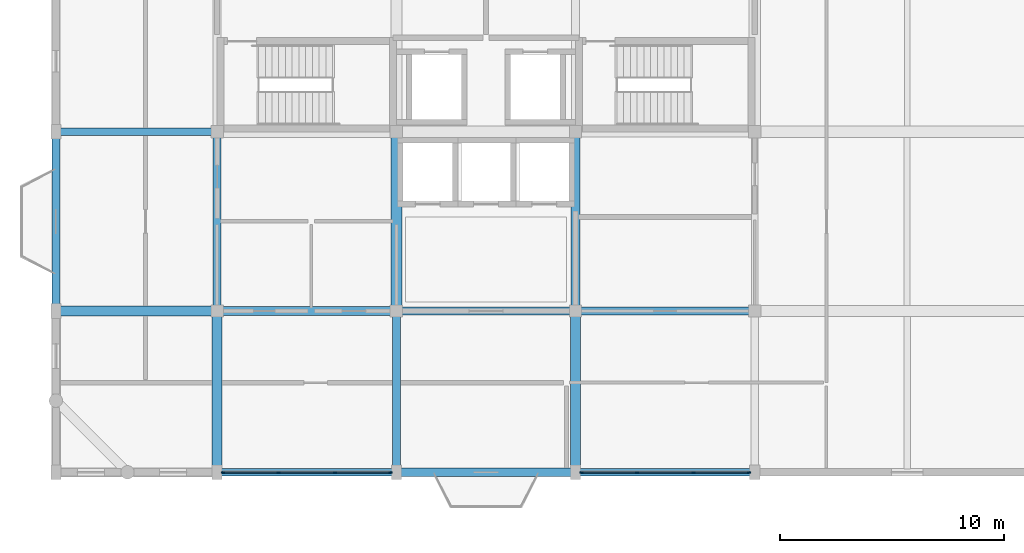
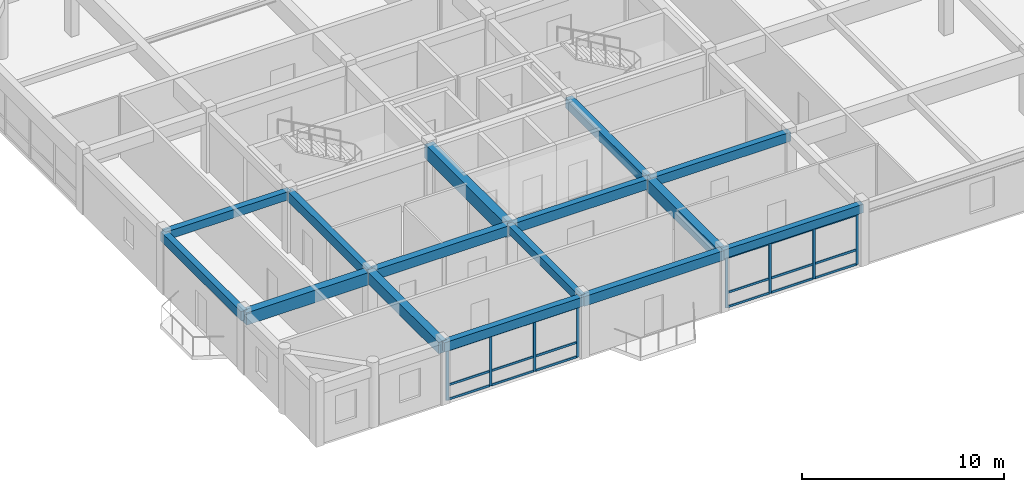
# One storey, part 2 of 13: 26 members, 15 beams, 2 elements without a shape of their own.
"""IFC4 building model written with IfcOpenShell, lengths in metres."""

from ifc_helpers import new_model, si_unit, direction, frame, origin, origin_2d, place, context, subcontext, project, spatial, rectangle, extrude, material, material_profile, profile_set, type_object, element, aggregate, save


model = new_model("IFC4")

# Units and contexts
model_context = context("Model", 3, precision=1e-05, world=origin(), true_north=direction((0.0, 1.0)))
body_context = subcontext(model_context, "Body", "Model", "MODEL_VIEW")
ifc_project = project(units=[si_unit("LENGTHUNIT", "METRE"), si_unit("AREAUNIT", "SQUARE_METRE"), si_unit("VOLUMEUNIT", "CUBIC_METRE"), si_unit("PLANEANGLEUNIT", "RADIAN"), si_unit("MASSUNIT", "GRAM", prefix="KILO")], contexts=[model_context])

# Site, building, storey
site_placement = place(None, origin())
site = spatial("IfcSite", under=ifc_project, at=site_placement, CompositionType="ELEMENT")
building_placement = place(site_placement, origin())
building = spatial("IfcBuilding", under=site, at=building_placement, Name="Vellmiral Cinema and Media Centre", CompositionType="ELEMENT")
storey_placement = place(building_placement, frame((0.0, 0.0, 58.699951171875)))
storey = spatial("IfcBuildingStorey", under=building, at=storey_placement, Name="L14", CompositionType="ELEMENT", Elevation=58.699951171875)

# Beams
ifc_material_1 = material(Name="Concrete C40/50", Category="concrete")
ifc_material_profile_1 = material_profile(ifc_material_1, rectangle(XDim=0.35009765625, YDim=0.5, at=origin_2d()), Name="RC 350x500")
ifc_profile_set_1 = profile_set([ifc_material_profile_1], Name="Concrete C40/50")
beam_type_1 = type_object("IfcBeamType", Name="BM-RC-350x500", PredefinedType="BEAM", material=ifc_profile_set_1)
for number, where, z_axis, x_axis, name in (
    (1, (116.800048828125, 87.199951171875, 3.39501953125), (1.0, 0.0, 0.0), (0.0, 1.0, 0.0), "Grid Beam L14-X013"),
    (2, (132.0, 72.0, 3.39501953125), (0.0, 1.0, 0.0), (-1.0, 0.0, 0.0), "Grid Beam L14-Y046"),
):
    element("IfcBeam", number, at=place(storey_placement, frame(where, z_axis=z_axis, x_axis=x_axis)), inside=storey, type_object=beam_type_1, Name=name, PredefinedType="BEAM", context=body_context, shape_type="SweptSolid", body=[
        extrude(rectangle(XDim=0.35009765625, YDim=0.5, at=origin_2d()), origin(), (0.0, 0.0, 1.0), 7.199951171875),
    ])
ifc_material_2 = material(Name="Concrete C40/50", Category="concrete")
ifc_material_profile_2 = material_profile(ifc_material_2, rectangle(XDim=0.35009765625, YDim=0.550048828125, at=origin_2d()), Name="RC 350x550")
ifc_profile_set_2 = profile_set([ifc_material_profile_2], Name="Concrete C40/50")
beam_type_2 = type_object("IfcBeamType", Name="BM-RC-350x550", PredefinedType="BEAM", material=ifc_profile_set_2)
beam_1_placement = place(storey_placement, frame((140.0, 79.199951171875, 3.3701171875), z_axis=(1.0, 0.0, 0.0), x_axis=(0.0, 1.0, 0.0)))
element("IfcBeam", 3, at=beam_1_placement, inside=storey, type_object=beam_type_2, Name="Grid Beam L14-X010", PredefinedType="BEAM", context=body_context, shape_type="SweptSolid", body=[
    extrude(rectangle(XDim=0.35009765625, YDim=0.550048828125, at=origin_2d()), origin(), (0.0, 0.0, 1.0), 8.0),
])
ifc_material_3 = material(Name="Concrete C40/50", Category="concrete")
ifc_material_profile_3 = material_profile(ifc_material_3, rectangle(XDim=0.35009765625, YDim=0.60009765625, at=origin_2d()), Name="RC 350x600")
ifc_profile_set_3 = profile_set([ifc_material_profile_3], Name="Concrete C40/50")
beam_type_3 = type_object("IfcBeamType", Name="BM-RC-350x600", PredefinedType="BEAM", material=ifc_profile_set_3)
for number, where, z_axis, x_axis, name in (
    (4, (132.0, 79.199951171875, 3.344970703125), (1.0, 0.0, 0.0), (0.0, 1.0, 0.0), "Grid Beam L14-X009"),
    (5, (124.0, 79.199951171875, 3.344970703125), (0.0, 1.0, 0.0), (-1.0, 0.0, 0.0), "Grid Beam L14-Y042"),
):
    element("IfcBeam", number, at=place(storey_placement, frame(where, z_axis=z_axis, x_axis=x_axis)), inside=storey, type_object=beam_type_3, Name=name, PredefinedType="BEAM", context=body_context, shape_type="SweptSolid", body=[
        extrude(rectangle(XDim=0.35009765625, YDim=0.60009765625, at=origin_2d()), origin(), (0.0, 0.0, 1.0), 8.0),
    ])
ifc_material_4 = material(Name="Concrete C40/50", Category="concrete")
ifc_material_profile_4 = material_profile(ifc_material_4, rectangle(XDim=0.39990234375, YDim=0.60009765625, at=origin_2d()), Name="RC 400x600")
ifc_profile_set_4 = profile_set([ifc_material_profile_4], Name="Concrete C40/50")
beam_type_4 = type_object("IfcBeamType", Name="BM-RC-400x600", PredefinedType="BEAM", material=ifc_profile_set_4)
for number, where, z_axis, x_axis, name in (
    (6, (124.0, 79.199951171875, 3.344970703125), (1.0, 0.0, 0.0), (0.0, 1.0, 0.0), "Grid Beam L14-X008"),
    (7, (140.0, 79.199951171875, 3.344970703125), (0.0, 1.0, 0.0), (-1.0, 0.0, 0.0), "Grid Beam L14-Y052"),
):
    element("IfcBeam", number, at=place(storey_placement, frame(where, z_axis=z_axis, x_axis=x_axis)), inside=storey, type_object=beam_type_4, Name=name, PredefinedType="BEAM", context=body_context, shape_type="SweptSolid", body=[
        extrude(rectangle(XDim=0.39990234375, YDim=0.60009765625, at=origin_2d()), origin(), (0.0, 0.0, 1.0), 8.0),
    ])
ifc_material_5 = material(Name="Concrete C40/50", Category="concrete")
ifc_material_profile_5 = material_profile(ifc_material_5, rectangle(XDim=0.449951171875, YDim=0.699951171875, at=origin_2d()), Name="RC 450x700")
ifc_profile_set_5 = profile_set([ifc_material_profile_5], Name="Concrete C40/50")
beam_type_5 = type_object("IfcBeamType", Name="BM-RC-450x700", PredefinedType="BEAM", material=ifc_profile_set_5)
beam_2_placement = place(storey_placement, frame((124.0, 72.0, 3.295166015625), z_axis=(0.0, 1.0, 0.0), x_axis=(-1.0, 0.0, 0.0)))
element("IfcBeam", 8, at=beam_2_placement, inside=storey, type_object=beam_type_5, Name="Grid Beam L14-Y041", PredefinedType="BEAM", context=body_context, shape_type="SweptSolid", body=[
    extrude(rectangle(XDim=0.449951171875, YDim=0.699951171875, at=origin_2d()), origin(), (0.0, 0.0, 1.0), 7.199951171875),
])
ifc_material_6 = material(Name="Concrete C40/50", Category="concrete")
ifc_material_profile_6 = material_profile(ifc_material_6, rectangle(XDim=0.449951171875, YDim=0.75, at=origin_2d()), Name="RC 450x750")
ifc_profile_set_6 = profile_set([ifc_material_profile_6], Name="Concrete C40/50")
beam_type_6 = type_object("IfcBeamType", Name="BM-RC-450x750", PredefinedType="BEAM", material=ifc_profile_set_6)
for number, where, z_axis, x_axis, name in (
    (9, (116.800048828125, 79.199951171875, 3.27001953125), (1.0, 0.0, 0.0), (0.0, 1.0, 0.0), "Grid Beam L14-X007"),
    (10, (140.0, 72.0, 3.27001953125), (0.0, 1.0, 0.0), (-1.0, 0.0, 0.0), "Grid Beam L14-Y051"),
):
    element("IfcBeam", number, at=place(storey_placement, frame(where, z_axis=z_axis, x_axis=x_axis)), inside=storey, type_object=beam_type_6, Name=name, PredefinedType="BEAM", context=body_context, shape_type="SweptSolid", body=[
        extrude(rectangle(XDim=0.449951171875, YDim=0.75, at=origin_2d()), origin(), (0.0, 0.0, 1.0), 7.199951171875),
    ])
ifc_material_7 = material(Name="Concrete C40/50", Category="concrete")
ifc_material_profile_7 = material_profile(ifc_material_7, rectangle(XDim=0.5, YDim=0.85009765625, at=origin_2d()), Name="RC 500x850")
ifc_profile_set_7 = profile_set([ifc_material_profile_7], Name="Concrete C40/50")
beam_type_7 = type_object("IfcBeamType", Name="BM-RC-500x850", PredefinedType="BEAM", material=ifc_profile_set_7)
beam_3_placement = place(storey_placement, frame((132.0, 79.199951171875, 3.219970703125), z_axis=(0.0, 1.0, 0.0), x_axis=(-1.0, 0.0, 0.0)))
element("IfcBeam", 11, at=beam_3_placement, inside=storey, type_object=beam_type_7, Name="Grid Beam L14-Y047", PredefinedType="BEAM", context=body_context, shape_type="SweptSolid", body=[
    extrude(rectangle(XDim=0.5, YDim=0.85009765625, at=origin_2d()), origin(), (0.0, 0.0, 1.0), 8.0),
])

# Curtain wall, members
ifc_material_8 = material(Name="Thermally Broken Aluminium and Triple Glazing", Category="aluminium")
curtain_wall_type = type_object("IfcCurtainWallType", Name="CW-TOWER-MID-E", PredefinedType="USERDEFINED", material=ifc_material_8)
curtain_wall_1_placement = place(storey_placement, origin())
curtain_wall_1 = element("IfcCurtainWall", 12, at=curtain_wall_1_placement, inside=storey, type_object=curtain_wall_type, Name="Curtain Wall L14-B003", ObjectType="UNITISED CURTAIN WALL", PredefinedType="USERDEFINED")
ifc_material_9 = material(Name="Thermally Broken Anodised Aluminium", Category="aluminium")
ifc_material_profile_8 = material_profile(ifc_material_9, rectangle(XDim=0.06494140625, YDim=0.159912109375, at=origin_2d()), Name="MULL 65x160")
ifc_profile_set_8 = profile_set([ifc_material_profile_8], Name="Thermally Broken Anodised Aluminium")
member_type_1 = type_object("IfcMemberType", Name="CWM-65x160", PredefinedType="MULLION", material=ifc_profile_set_8)
member_1_placement = place(storey_placement, frame((124.257568359375, 72.0, 0.0), z_axis=(0.0, 0.0, 1.0), x_axis=(0.0, 1.0, 0.0)))
member_1 = element("IfcMember", 13, at=member_1_placement, type_object=member_type_1, Name="CW-07 mullion 1", PredefinedType="MULLION", context=body_context, shape_type="SweptSolid", body=[
    extrude(rectangle(XDim=0.06494140625, YDim=0.159912109375, at=origin_2d()), origin(), (0.0, 0.0, 1.0), 3.050048828125),
])
member_2_placement = place(storey_placement, frame((126.74169921875, 72.0, 0.0), z_axis=(0.0, 0.0, 1.0), x_axis=(0.0, 1.0, 0.0)))
member_2 = element("IfcMember", 14, at=member_2_placement, type_object=member_type_1, Name="CW-07 mullion 2", PredefinedType="MULLION", context=body_context, shape_type="SweptSolid", body=[
    extrude(rectangle(XDim=0.06494140625, YDim=0.159912109375, at=origin_2d()), origin(), (0.0, 0.0, 1.0), 3.050048828125),
])
member_3_placement = place(storey_placement, frame((129.25830078125, 72.0, 0.0), z_axis=(0.0, 0.0, 1.0), x_axis=(0.0, 1.0, 0.0)))
member_3 = element("IfcMember", 15, at=member_3_placement, type_object=member_type_1, Name="CW-07 mullion 3", PredefinedType="MULLION", context=body_context, shape_type="SweptSolid", body=[
    extrude(rectangle(XDim=0.06494140625, YDim=0.159912109375, at=origin_2d()), origin(), (0.0, 0.0, 1.0), 3.050048828125),
])
member_4_placement = place(storey_placement, frame((131.742431640625, 72.0, 0.0), z_axis=(0.0, 0.0, 1.0), x_axis=(0.0, 1.0, 0.0)))
member_4 = element("IfcMember", 16, at=member_4_placement, type_object=member_type_1, Name="CW-07 mullion 4", PredefinedType="MULLION", context=body_context, shape_type="SweptSolid", body=[
    extrude(rectangle(XDim=0.06494140625, YDim=0.159912109375, at=origin_2d()), origin(), (0.0, 0.0, 1.0), 3.050048828125),
])

curtain_wall_2_placement = place(storey_placement, origin())
curtain_wall_2 = element("IfcCurtainWall", 17, at=curtain_wall_2_placement, inside=storey, type_object=curtain_wall_type, Name="Curtain Wall L14-B005", ObjectType="UNITISED CURTAIN WALL", PredefinedType="USERDEFINED")
member_5_placement = place(storey_placement, frame((140.257568359375, 72.0, 0.0), z_axis=(0.0, 0.0, 1.0), x_axis=(0.0, 1.0, 0.0)))
member_5 = element("IfcMember", 18, at=member_5_placement, type_object=member_type_1, Name="CW-07 mullion 1", PredefinedType="MULLION", context=body_context, shape_type="SweptSolid", body=[
    extrude(rectangle(XDim=0.06494140625, YDim=0.159912109375, at=origin_2d()), origin(), (0.0, 0.0, 1.0), 3.050048828125),
])
member_6_placement = place(storey_placement, frame((142.74169921875, 72.0, 0.0), z_axis=(0.0, 0.0, 1.0), x_axis=(0.0, 1.0, 0.0)))
member_6 = element("IfcMember", 19, at=member_6_placement, type_object=member_type_1, Name="CW-07 mullion 2", PredefinedType="MULLION", context=body_context, shape_type="SweptSolid", body=[
    extrude(rectangle(XDim=0.06494140625, YDim=0.159912109375, at=origin_2d()), origin(), (0.0, 0.0, 1.0), 3.050048828125),
])
member_7_placement = place(storey_placement, frame((145.25830078125, 72.0, 0.0), z_axis=(0.0, 0.0, 1.0), x_axis=(0.0, 1.0, 0.0)))
member_7 = element("IfcMember", 20, at=member_7_placement, type_object=member_type_1, Name="CW-07 mullion 3", PredefinedType="MULLION", context=body_context, shape_type="SweptSolid", body=[
    extrude(rectangle(XDim=0.06494140625, YDim=0.159912109375, at=origin_2d()), origin(), (0.0, 0.0, 1.0), 3.050048828125),
])
member_8_placement = place(storey_placement, frame((147.742431640625, 72.0, 0.0), z_axis=(0.0, 0.0, 1.0), x_axis=(0.0, 1.0, 0.0)))
member_8 = element("IfcMember", 21, at=member_8_placement, type_object=member_type_1, Name="CW-07 mullion 4", PredefinedType="MULLION", context=body_context, shape_type="SweptSolid", body=[
    extrude(rectangle(XDim=0.06494140625, YDim=0.159912109375, at=origin_2d()), origin(), (0.0, 0.0, 1.0), 3.050048828125),
])

# Member
ifc_material_10 = material(Name="Thermally Broken Anodised Aluminium", Category="aluminium")
ifc_material_profile_9 = material_profile(ifc_material_10, rectangle(XDim=0.06494140625, YDim=0.135009765625, at=origin_2d()), Name="MULL 65x135")
ifc_profile_set_9 = profile_set([ifc_material_profile_9], Name="Thermally Broken Anodised Aluminium")
member_type_2 = type_object("IfcMemberType", Name="CWT-65x135", PredefinedType="USERDEFINED", material=ifc_profile_set_9)
member_9_placement = place(storey_placement, frame((124.2900390625, 72.0, 0.032470703125), z_axis=(1.0, 0.0, 0.0), x_axis=(0.0, 1.0, 0.0)))
member_9 = element("IfcMember", 22, at=member_9_placement, type_object=member_type_2, Name="CW-07 transom 1.1", ObjectType="TRANSOM", PredefinedType="USERDEFINED", context=body_context, shape_type="SweptSolid", body=[
    extrude(rectangle(XDim=0.06494140625, YDim=0.135009765625, at=origin_2d()), origin(), (0.0, 0.0, 1.0), 2.419189453125),
])

member_10_placement = place(storey_placement, frame((124.2900390625, 72.0, 0.900146484375), z_axis=(1.0, 0.0, 0.0), x_axis=(0.0, 1.0, 0.0)))
member_10 = element("IfcMember", 23, at=member_10_placement, type_object=member_type_2, Name="CW-07 transom 1.2", ObjectType="TRANSOM", PredefinedType="USERDEFINED", context=body_context, shape_type="SweptSolid", body=[
    extrude(rectangle(XDim=0.06494140625, YDim=0.135009765625, at=origin_2d()), origin(), (0.0, 0.0, 1.0), 2.419189453125),
])

member_11_placement = place(storey_placement, frame((124.2900390625, 72.0, 3.017578125), z_axis=(1.0, 0.0, 0.0), x_axis=(0.0, 1.0, 0.0)))
member_11 = element("IfcMember", 24, at=member_11_placement, type_object=member_type_2, Name="CW-07 transom 1.3", ObjectType="TRANSOM", PredefinedType="USERDEFINED", context=body_context, shape_type="SweptSolid", body=[
    extrude(rectangle(XDim=0.06494140625, YDim=0.135009765625, at=origin_2d()), origin(), (0.0, 0.0, 1.0), 2.419189453125),
])

member_12_placement = place(storey_placement, frame((126.774169921875, 72.0, 0.032470703125), z_axis=(1.0, 0.0, 0.0), x_axis=(0.0, 1.0, 0.0)))
member_12 = element("IfcMember", 25, at=member_12_placement, type_object=member_type_2, Name="CW-07 transom 2.1", ObjectType="TRANSOM", PredefinedType="USERDEFINED", context=body_context, shape_type="SweptSolid", body=[
    extrude(rectangle(XDim=0.06494140625, YDim=0.135009765625, at=origin_2d()), origin(), (0.0, 0.0, 1.0), 2.45166015625),
])

member_13_placement = place(storey_placement, frame((126.774169921875, 72.0, 0.900146484375), z_axis=(1.0, 0.0, 0.0), x_axis=(0.0, 1.0, 0.0)))
member_13 = element("IfcMember", 26, at=member_13_placement, type_object=member_type_2, Name="CW-07 transom 2.2", ObjectType="TRANSOM", PredefinedType="USERDEFINED", context=body_context, shape_type="SweptSolid", body=[
    extrude(rectangle(XDim=0.06494140625, YDim=0.135009765625, at=origin_2d()), origin(), (0.0, 0.0, 1.0), 2.45166015625),
])

member_14_placement = place(storey_placement, frame((126.774169921875, 72.0, 3.017578125), z_axis=(1.0, 0.0, 0.0), x_axis=(0.0, 1.0, 0.0)))
member_14 = element("IfcMember", 27, at=member_14_placement, type_object=member_type_2, Name="CW-07 transom 2.3", ObjectType="TRANSOM", PredefinedType="USERDEFINED", context=body_context, shape_type="SweptSolid", body=[
    extrude(rectangle(XDim=0.06494140625, YDim=0.135009765625, at=origin_2d()), origin(), (0.0, 0.0, 1.0), 2.45166015625),
])

member_15_placement = place(storey_placement, frame((129.290771484375, 72.0, 0.032470703125), z_axis=(1.0, 0.0, 0.0), x_axis=(0.0, 1.0, 0.0)))
member_15 = element("IfcMember", 28, at=member_15_placement, type_object=member_type_2, Name="CW-07 transom 3.1", ObjectType="TRANSOM", PredefinedType="USERDEFINED", context=body_context, shape_type="SweptSolid", body=[
    extrude(rectangle(XDim=0.06494140625, YDim=0.135009765625, at=origin_2d()), origin(), (0.0, 0.0, 1.0), 2.419189453125),
])

member_16_placement = place(storey_placement, frame((129.290771484375, 72.0, 0.900146484375), z_axis=(1.0, 0.0, 0.0), x_axis=(0.0, 1.0, 0.0)))
member_16 = element("IfcMember", 29, at=member_16_placement, type_object=member_type_2, Name="CW-07 transom 3.2", ObjectType="TRANSOM", PredefinedType="USERDEFINED", context=body_context, shape_type="SweptSolid", body=[
    extrude(rectangle(XDim=0.06494140625, YDim=0.135009765625, at=origin_2d()), origin(), (0.0, 0.0, 1.0), 2.419189453125),
])

member_17_placement = place(storey_placement, frame((129.290771484375, 72.0, 3.017578125), z_axis=(1.0, 0.0, 0.0), x_axis=(0.0, 1.0, 0.0)))
member_17 = element("IfcMember", 30, at=member_17_placement, type_object=member_type_2, Name="CW-07 transom 3.3", ObjectType="TRANSOM", PredefinedType="USERDEFINED", context=body_context, shape_type="SweptSolid", body=[
    extrude(rectangle(XDim=0.06494140625, YDim=0.135009765625, at=origin_2d()), origin(), (0.0, 0.0, 1.0), 2.419189453125),
])

aggregate(curtain_wall_1, [member_1, member_2, member_3, member_4, member_9, member_10, member_11, member_12, member_13, member_14, member_15, member_16, member_17])

member_18_placement = place(storey_placement, frame((140.2900390625, 72.0, 0.032470703125), z_axis=(1.0, 0.0, 0.0), x_axis=(0.0, 1.0, 0.0)))
member_18 = element("IfcMember", 31, at=member_18_placement, type_object=member_type_2, Name="CW-07 transom 1.1", ObjectType="TRANSOM", PredefinedType="USERDEFINED", context=body_context, shape_type="SweptSolid", body=[
    extrude(rectangle(XDim=0.06494140625, YDim=0.135009765625, at=origin_2d()), origin(), (0.0, 0.0, 1.0), 2.419189453125),
])

member_19_placement = place(storey_placement, frame((140.2900390625, 72.0, 0.900146484375), z_axis=(1.0, 0.0, 0.0), x_axis=(0.0, 1.0, 0.0)))
member_19 = element("IfcMember", 32, at=member_19_placement, type_object=member_type_2, Name="CW-07 transom 1.2", ObjectType="TRANSOM", PredefinedType="USERDEFINED", context=body_context, shape_type="SweptSolid", body=[
    extrude(rectangle(XDim=0.06494140625, YDim=0.135009765625, at=origin_2d()), origin(), (0.0, 0.0, 1.0), 2.419189453125),
])

member_20_placement = place(storey_placement, frame((140.2900390625, 72.0, 3.017578125), z_axis=(1.0, 0.0, 0.0), x_axis=(0.0, 1.0, 0.0)))
member_20 = element("IfcMember", 33, at=member_20_placement, type_object=member_type_2, Name="CW-07 transom 1.3", ObjectType="TRANSOM", PredefinedType="USERDEFINED", context=body_context, shape_type="SweptSolid", body=[
    extrude(rectangle(XDim=0.06494140625, YDim=0.135009765625, at=origin_2d()), origin(), (0.0, 0.0, 1.0), 2.419189453125),
])

member_21_placement = place(storey_placement, frame((142.774169921875, 72.0, 0.032470703125), z_axis=(1.0, 0.0, 0.0), x_axis=(0.0, 1.0, 0.0)))
member_21 = element("IfcMember", 34, at=member_21_placement, type_object=member_type_2, Name="CW-07 transom 2.1", ObjectType="TRANSOM", PredefinedType="USERDEFINED", context=body_context, shape_type="SweptSolid", body=[
    extrude(rectangle(XDim=0.06494140625, YDim=0.135009765625, at=origin_2d()), origin(), (0.0, 0.0, 1.0), 2.45166015625),
])

member_22_placement = place(storey_placement, frame((142.774169921875, 72.0, 0.900146484375), z_axis=(1.0, 0.0, 0.0), x_axis=(0.0, 1.0, 0.0)))
member_22 = element("IfcMember", 35, at=member_22_placement, type_object=member_type_2, Name="CW-07 transom 2.2", ObjectType="TRANSOM", PredefinedType="USERDEFINED", context=body_context, shape_type="SweptSolid", body=[
    extrude(rectangle(XDim=0.06494140625, YDim=0.135009765625, at=origin_2d()), origin(), (0.0, 0.0, 1.0), 2.45166015625),
])

member_23_placement = place(storey_placement, frame((142.774169921875, 72.0, 3.017578125), z_axis=(1.0, 0.0, 0.0), x_axis=(0.0, 1.0, 0.0)))
member_23 = element("IfcMember", 36, at=member_23_placement, type_object=member_type_2, Name="CW-07 transom 2.3", ObjectType="TRANSOM", PredefinedType="USERDEFINED", context=body_context, shape_type="SweptSolid", body=[
    extrude(rectangle(XDim=0.06494140625, YDim=0.135009765625, at=origin_2d()), origin(), (0.0, 0.0, 1.0), 2.45166015625),
])

member_24_placement = place(storey_placement, frame((145.290771484375, 72.0, 0.032470703125), z_axis=(1.0, 0.0, 0.0), x_axis=(0.0, 1.0, 0.0)))
member_24 = element("IfcMember", 37, at=member_24_placement, type_object=member_type_2, Name="CW-07 transom 3.1", ObjectType="TRANSOM", PredefinedType="USERDEFINED", context=body_context, shape_type="SweptSolid", body=[
    extrude(rectangle(XDim=0.06494140625, YDim=0.135009765625, at=origin_2d()), origin(), (0.0, 0.0, 1.0), 2.419189453125),
])

member_25_placement = place(storey_placement, frame((145.290771484375, 72.0, 0.900146484375), z_axis=(1.0, 0.0, 0.0), x_axis=(0.0, 1.0, 0.0)))
member_25 = element("IfcMember", 38, at=member_25_placement, type_object=member_type_2, Name="CW-07 transom 3.2", ObjectType="TRANSOM", PredefinedType="USERDEFINED", context=body_context, shape_type="SweptSolid", body=[
    extrude(rectangle(XDim=0.06494140625, YDim=0.135009765625, at=origin_2d()), origin(), (0.0, 0.0, 1.0), 2.419189453125),
])

member_26_placement = place(storey_placement, frame((145.290771484375, 72.0, 3.017578125), z_axis=(1.0, 0.0, 0.0), x_axis=(0.0, 1.0, 0.0)))
member_26 = element("IfcMember", 39, at=member_26_placement, type_object=member_type_2, Name="CW-07 transom 3.3", ObjectType="TRANSOM", PredefinedType="USERDEFINED", context=body_context, shape_type="SweptSolid", body=[
    extrude(rectangle(XDim=0.06494140625, YDim=0.135009765625, at=origin_2d()), origin(), (0.0, 0.0, 1.0), 2.419189453125),
])

aggregate(curtain_wall_2, [member_5, member_6, member_7, member_8, member_18, member_19, member_20, member_21, member_22, member_23, member_24, member_25, member_26])

# Beams
ifc_material_11 = material(Name="Concrete C40/50", Category="concrete")
ifc_material_profile_10 = material_profile(ifc_material_11, rectangle(XDim=0.35009765625, YDim=0.56005859375, at=origin_2d()), Name="RC 350x560")
ifc_profile_set_10 = profile_set([ifc_material_profile_10], Name="Concrete C40/50")
beam_type_8 = type_object("IfcBeamType", Name="SPD-RC-350x560", PredefinedType="SPANDREL", material=ifc_profile_set_10)
for number, where, z_axis, x_axis, name in (
    (40, (124.0, 72.0, 3.364990234375), (1.0, 0.0, 0.0), (0.0, 1.0, 0.0), "Grid Beam L14-X002"),
    (41, (116.800048828125, 79.199951171875, 3.364990234375), (0.0, 1.0, 0.0), (-1.0, 0.0, 0.0), "Grid Beam L14-Y037"),
):
    element("IfcBeam", number, at=place(storey_placement, frame(where, z_axis=z_axis, x_axis=x_axis)), inside=storey, type_object=beam_type_8, Name=name, PredefinedType="SPANDREL", context=body_context, shape_type="SweptSolid", body=[
        extrude(rectangle(XDim=0.35009765625, YDim=0.56005859375, at=origin_2d()), origin(), (0.0, 0.0, 1.0), 8.0),
    ])
ifc_material_12 = material(Name="Vosges Red Sandstone Masonry", Category="masonry")
ifc_material_profile_11 = material_profile(ifc_material_12, rectangle(XDim=0.340087890625, YDim=0.52001953125, at=origin_2d()), Name="SAND 340x520")
ifc_profile_set_11 = profile_set([ifc_material_profile_11], Name="Vosges Red Sandstone Masonry")
beam_type_9 = type_object("IfcBeamType", Name="SPD-SAND-340x520", PredefinedType="SPANDREL", material=ifc_profile_set_11)
beam_4_placement = place(storey_placement, frame((140.0, 72.0, 3.385009765625), z_axis=(1.0, 0.0, 0.0), x_axis=(0.0, 1.0, 0.0)))
element("IfcBeam", 42, at=beam_4_placement, inside=storey, type_object=beam_type_9, Name="Grid Beam L14-X004", PredefinedType="SPANDREL", context=body_context, shape_type="SweptSolid", body=[
    extrude(rectangle(XDim=0.340087890625, YDim=0.52001953125, at=origin_2d()), origin(), (0.0, 0.0, 1.0), 8.0),
])
ifc_material_13 = material(Name="Vosges Red Sandstone Masonry", Category="masonry")
ifc_material_profile_12 = material_profile(ifc_material_13, rectangle(XDim=0.3798828125, YDim=0.580078125, at=origin_2d()), Name="SAND 380x580")
ifc_profile_set_12 = profile_set([ifc_material_profile_12], Name="Vosges Red Sandstone Masonry")
beam_type_10 = type_object("IfcBeamType", Name="SPD-SAND-380x580", PredefinedType="SPANDREL", material=ifc_profile_set_12)
beam_5_placement = place(storey_placement, frame((132.0, 72.0, 3.35498046875), z_axis=(1.0, 0.0, 0.0), x_axis=(0.0, 1.0, 0.0)))
element("IfcBeam", 43, at=beam_5_placement, inside=storey, type_object=beam_type_10, Name="Grid Beam L14-X003", PredefinedType="SPANDREL", context=body_context, shape_type="SweptSolid", body=[
    extrude(rectangle(XDim=0.3798828125, YDim=0.580078125, at=origin_2d()), origin(), (0.0, 0.0, 1.0), 8.0),
])

save(model, "model.ifc")
